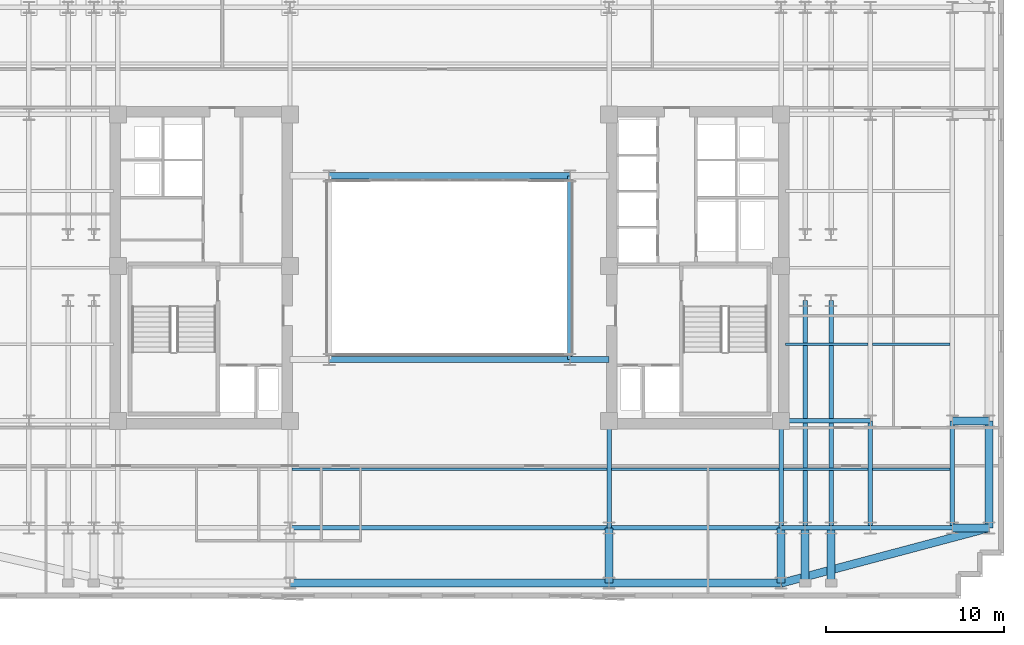
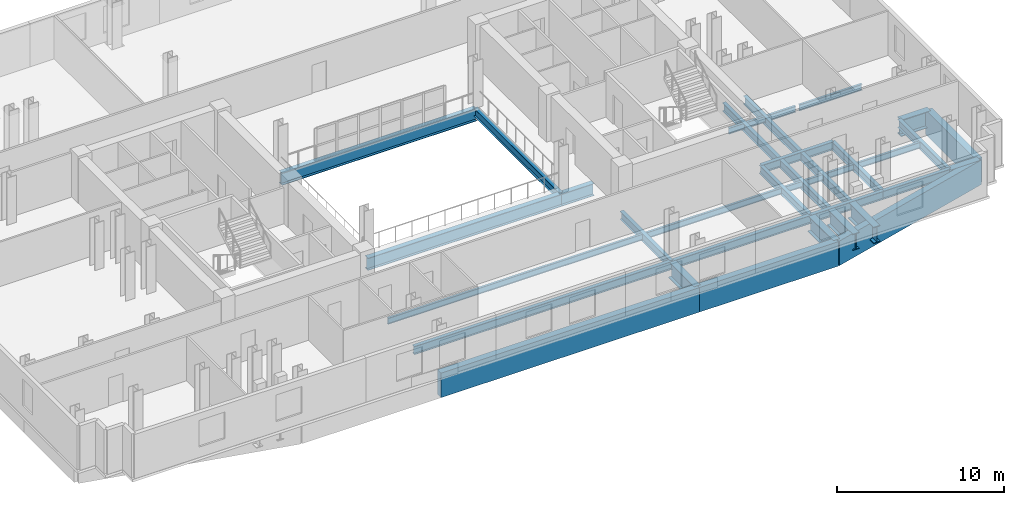
# One storey, part 3 of 12: 31 beams.
"""IFC4 building model written with IfcOpenShell, lengths in metres."""

from ifc_helpers import new_model, si_unit, direction, frame, origin, origin_2d, place, context, subcontext, project, spatial, rectangle, i_section, extrude, material, material_profile, profile_set, type_object, element, save


model = new_model("IFC4")

# Units and contexts
model_context = context("Model", 3, precision=1e-05, world=origin(), true_north=direction((0.0, 1.0)))
body_context = subcontext(model_context, "Body", "Model", "MODEL_VIEW")
ifc_project = project(units=[si_unit("LENGTHUNIT", "METRE"), si_unit("AREAUNIT", "SQUARE_METRE"), si_unit("VOLUMEUNIT", "CUBIC_METRE"), si_unit("PLANEANGLEUNIT", "RADIAN"), si_unit("MASSUNIT", "GRAM", prefix="KILO")], contexts=[model_context])

# Site, building, storey
site_placement = place(None, origin())
site = spatial("IfcSite", under=ifc_project, at=site_placement, CompositionType="ELEMENT")
building_placement = place(site_placement, origin())
building = spatial("IfcBuilding", under=site, at=building_placement, Name="Velakula Bourse", CompositionType="ELEMENT")
storey_placement = place(building_placement, frame((0.0, 0.0, 120.85009765625)))
storey = spatial("IfcBuildingStorey", under=building, at=storey_placement, Name="L32", CompositionType="ELEMENT", Elevation=120.85009765625)

# Beams
ifc_material_1 = material(Name="Steel IS 2062 Grade 350 (E350)", Category="steel")
ifc_material_profile_1 = material_profile(ifc_material_1, i_section(OverallWidth=0.25, OverallDepth=0.60009765625, WebThickness=0.01123046875, FlangeThickness=0.021240234375, at=origin_2d()), Name="Steel IS 2062 Grade 350 (E350)")
ifc_profile_set_1 = profile_set([ifc_material_profile_1], Name="Steel IS 2062 Grade 350 (E350)")
beam_type_1 = type_object("IfcBeamType", Name="BM-GRD-600M", PredefinedType="BEAM", material=ifc_profile_set_1)
beam_1_placement = place(storey_placement, frame((6.75, -5.14990234375, -0.47998046875), z_axis=(0.0, 1.0, 0.0), x_axis=(-1.0, 0.0, 0.0)))
element("IfcBeam", 1, at=beam_1_placement, inside=storey, type_object=beam_type_1, Name="L32 Primary Backbone Girder SPN-E", PredefinedType="BEAM", context=body_context, shape_type="SweptSolid", body=[
    extrude(i_section(OverallWidth=0.25, OverallDepth=0.60009765625, WebThickness=0.01123046875, FlangeThickness=0.021240234375, at=origin_2d()), origin(), (0.0, 0.0, 1.0), 10.2998046875),
])
for number, where, z_axis, x_axis, name in (
    (2, (8.949951171875, -14.60009765625, -0.47998046875), (0.0, 1.0, 0.0), (-1.0, 0.0, 0.0), "L32 Fulcrum Grid Girder FLC-ECS"),
    (3, (18.60009765625, -14.60009765625, -0.47998046875), (0.0, 1.0, 0.0), (-1.0, 0.0, 0.0), "L32 Fulcrum Grid Girder FLC-ES"),
):
    element("IfcBeam", number, at=place(storey_placement, frame(where, z_axis=z_axis, x_axis=x_axis)), inside=storey, type_object=beam_type_1, Name=name, PredefinedType="BEAM", context=body_context, shape_type="SweptSolid", body=[
        extrude(i_section(OverallWidth=0.25, OverallDepth=0.60009765625, WebThickness=0.01123046875, FlangeThickness=0.021240234375, at=origin_2d()), origin(), (0.0, 0.0, 1.0), 6.0),
    ])
beam_2_placement = place(storey_placement, frame((-8.949951171875, -14.60009765625, -0.47998046875), z_axis=(1.0, 0.0, 0.0), x_axis=(0.0, 1.0, 0.0)))
element("IfcBeam", 4, at=beam_2_placement, inside=storey, type_object=beam_type_1, Name="L32 Fulcrum Grid Girder FLC-S2", PredefinedType="BEAM", context=body_context, shape_type="SweptSolid", body=[
    extrude(i_section(OverallWidth=0.25, OverallDepth=0.60009765625, WebThickness=0.01123046875, FlangeThickness=0.021240234375, at=origin_2d()), origin(), (0.0, 0.0, 1.0), 17.89990234375),
])
beam_3_placement = place(storey_placement, frame((8.949951171875, -14.60009765625, -0.47998046875), z_axis=(1.0, 0.0, 0.0), x_axis=(0.0, 1.0, 0.0)))
element("IfcBeam", 5, at=beam_3_placement, inside=storey, type_object=beam_type_1, Name="L32 Fulcrum Grid Girder FLC-S3", PredefinedType="BEAM", context=body_context, shape_type="SweptSolid", body=[
    extrude(i_section(OverallWidth=0.25, OverallDepth=0.60009765625, WebThickness=0.01123046875, FlangeThickness=0.021240234375, at=origin_2d()), origin(), (0.0, 0.0, 1.0), 9.650146484375),
])
for number, where, z_axis, x_axis, name in (
    (6, (19.949951171875, -14.60009765625, -0.47998046875), (0.0, 1.0, 0.0), (-1.0, 0.0, 0.0), "L32 Fulcrum Grid Girder FLC-PSE1"),
    (7, (21.39990234375, -14.60009765625, -0.47998046875), (0.0, 1.0, 0.0), (-1.0, 0.0, 0.0), "L32 Fulcrum Grid Girder FLC-PSE2"),
):
    element("IfcBeam", number, at=place(storey_placement, frame(where, z_axis=z_axis, x_axis=x_axis)), inside=storey, type_object=beam_type_1, Name=name, PredefinedType="BEAM", context=body_context, shape_type="SweptSolid", body=[
        extrude(i_section(OverallWidth=0.25, OverallDepth=0.60009765625, WebThickness=0.01123046875, FlangeThickness=0.021240234375, at=origin_2d()), origin(), (0.0, 0.0, 1.0), 12.75),
    ])
for number, where, z_axis, x_axis, name in (
    (8, (18.60009765625, -14.60009765625, -0.47998046875), (1.0, 0.0, 0.0), (0.0, 1.0, 0.0), "L32 Fulcrum Grid Girder MWG-ES1"),
    (9, (18.60009765625, -8.60009765625, -0.47998046875), (1.0, 0.0, 0.0), (0.0, 1.0, 0.0), "L32 Fulcrum Grid Girder MWG-ES2"),
):
    element("IfcBeam", number, at=place(storey_placement, frame(where, z_axis=z_axis, x_axis=x_axis)), inside=storey, type_object=beam_type_1, Name=name, PredefinedType="BEAM", context=body_context, shape_type="SweptSolid", body=[
        extrude(i_section(OverallWidth=0.25, OverallDepth=0.60009765625, WebThickness=0.01123046875, FlangeThickness=0.021240234375, at=origin_2d()), origin(), (0.0, 0.0, 1.0), 5.0),
    ])
beam_4_placement = place(storey_placement, frame((23.60009765625, -14.60009765625, -0.47998046875), z_axis=(0.0, 1.0, 0.0), x_axis=(-1.0, 0.0, 0.0)))
element("IfcBeam", 10, at=beam_4_placement, inside=storey, type_object=beam_type_1, Name="L32 Fulcrum Grid Girder MWG-ENS1", PredefinedType="BEAM", context=body_context, shape_type="SweptSolid", body=[
    extrude(i_section(OverallWidth=0.25, OverallDepth=0.60009765625, WebThickness=0.01123046875, FlangeThickness=0.021240234375, at=origin_2d()), origin(), (0.0, 0.0, 1.0), 6.0),
])
beam_5_placement = place(storey_placement, frame((23.60009765625, -14.60009765625, -0.47998046875), z_axis=(1.0, 0.0, 0.0), x_axis=(0.0, 1.0, 0.0)))
element("IfcBeam", 11, at=beam_5_placement, inside=storey, type_object=beam_type_1, Name="L32 Fulcrum Grid Girder WNG-ES1", PredefinedType="BEAM", context=body_context, shape_type="SweptSolid", body=[
    extrude(i_section(OverallWidth=0.25, OverallDepth=0.60009765625, WebThickness=0.01123046875, FlangeThickness=0.021240234375, at=origin_2d()), origin(), (0.0, 0.0, 1.0), 4.599853515625),
])
beam_6_placement = place(storey_placement, frame((28.199951171875, -14.60009765625, -0.47998046875), z_axis=(0.0, 1.0, 0.0), x_axis=(-1.0, 0.0, 0.0)))
element("IfcBeam", 12, at=beam_6_placement, inside=storey, type_object=beam_type_1, Name="L32 Fulcrum Grid Girder WNG-ENS1", PredefinedType="BEAM", context=body_context, shape_type="SweptSolid", body=[
    extrude(i_section(OverallWidth=0.25, OverallDepth=0.60009765625, WebThickness=0.01123046875, FlangeThickness=0.021240234375, at=origin_2d()), origin(), (0.0, 0.0, 1.0), 6.0),
])
ifc_material_profile_2 = material_profile(ifc_material_1, i_section(OverallWidth=0.35009765625, OverallDepth=0.89990234375, WebThickness=0.02001953125, FlangeThickness=0.031982421875, at=origin_2d()), Name="Steel IS 2062 Grade 350 (E350)")
ifc_profile_set_2 = profile_set([ifc_material_profile_2], Name="Steel IS 2062 Grade 350 (E350)")
beam_type_2 = type_object("IfcBeamType", Name="BM-LNK-900", PredefinedType="BEAM", material=ifc_profile_set_2)
beam_7_placement = place(storey_placement, frame((-6.75, -5.14990234375, -0.630126953125), z_axis=(1.0, 0.0, 0.0), x_axis=(0.0, 1.0, 0.0)))
element("IfcBeam", 13, at=beam_7_placement, inside=storey, type_object=beam_type_2, Name="L32 Primary Backbone Girder LNK-S2", PredefinedType="BEAM", context=body_context, shape_type="SweptSolid", body=[
    extrude(i_section(OverallWidth=0.35009765625, OverallDepth=0.89990234375, WebThickness=0.02001953125, FlangeThickness=0.031982421875, at=origin_2d()), origin(), (0.0, 0.0, 1.0), 13.5),
])
beam_8_placement = place(storey_placement, frame((6.75, -5.14990234375, -0.630126953125), z_axis=(1.0, 0.0, 0.0), x_axis=(0.0, 1.0, 0.0)))
element("IfcBeam", 14, at=beam_8_placement, inside=storey, type_object=beam_type_2, Name="L32 Primary Backbone Girder LNK-S3", PredefinedType="BEAM", context=body_context, shape_type="SweptSolid", body=[
    extrude(i_section(OverallWidth=0.35009765625, OverallDepth=0.89990234375, WebThickness=0.02001953125, FlangeThickness=0.031982421875, at=origin_2d()), origin(), (0.0, 0.0, 1.0), 2.199951171875),
])
beam_9_placement = place(storey_placement, frame((-6.75, 5.14990234375, -0.630126953125), z_axis=(1.0, 0.0, 0.0), x_axis=(0.0, 1.0, 0.0)))
element("IfcBeam", 15, at=beam_9_placement, inside=storey, type_object=beam_type_2, Name="L32 Primary Backbone Girder LNK-N2", PredefinedType="BEAM", context=body_context, shape_type="SweptSolid", body=[
    extrude(i_section(OverallWidth=0.35009765625, OverallDepth=0.89990234375, WebThickness=0.02001953125, FlangeThickness=0.031982421875, at=origin_2d()), origin(), (0.0, 0.0, 1.0), 13.5),
])
ifc_material_profile_3 = material_profile(ifc_material_1, i_section(OverallWidth=0.14990234375, OverallDepth=0.449951171875, WebThickness=0.009521484375, FlangeThickness=0.017333984375, at=origin_2d()), Name="Steel IS 2062 Grade 350 (E350)")
ifc_profile_set_3 = profile_set([ifc_material_profile_3], Name="Steel IS 2062 Grade 350 (E350)")
beam_type_3 = type_object("IfcBeamType", Name="JST-TWR-450", PredefinedType="JOIST", material=ifc_profile_set_3)
beam_10_placement = place(storey_placement, frame((-8.824951171875, -11.300048828125, -0.405029296875), z_axis=(1.0, 0.0, 0.0), x_axis=(0.0, 1.0, 0.0)))
element("IfcBeam", 16, at=beam_10_placement, inside=storey, type_object=beam_type_3, Name="L32 Trading Floor Composite Joist 05", PredefinedType="JOIST", context=body_context, shape_type="SweptSolid", body=[
    extrude(i_section(OverallWidth=0.14990234375, OverallDepth=0.449951171875, WebThickness=0.009521484375, FlangeThickness=0.017333984375, at=origin_2d()), origin(), (0.0, 0.0, 1.0), 17.64990234375),
])
beam_11_placement = place(storey_placement, frame((9.074951171875, -11.300048828125, -0.405029296875), z_axis=(1.0, 0.0, 0.0), x_axis=(0.0, 1.0, 0.0)))
element("IfcBeam", 17, at=beam_11_placement, inside=storey, type_object=beam_type_3, Name="L32 Trading Floor Composite Joist 06", PredefinedType="JOIST", context=body_context, shape_type="SweptSolid", body=[
    extrude(i_section(OverallWidth=0.14990234375, OverallDepth=0.449951171875, WebThickness=0.009521484375, FlangeThickness=0.017333984375, at=origin_2d()), origin(), (0.0, 0.0, 1.0), 9.400146484375),
])
beam_12_placement = place(storey_placement, frame((18.72509765625, -11.300048828125, -0.405029296875), z_axis=(1.0, 0.0, 0.0), x_axis=(0.0, 1.0, 0.0)))
element("IfcBeam", 18, at=beam_12_placement, inside=storey, type_object=beam_type_3, Name="L32 Trading Floor Composite Joist 07", PredefinedType="JOIST", context=body_context, shape_type="SweptSolid", body=[
    extrude(i_section(OverallWidth=0.14990234375, OverallDepth=0.449951171875, WebThickness=0.009521484375, FlangeThickness=0.017333984375, at=origin_2d()), origin(), (0.0, 0.0, 1.0), 4.75),
])
beam_13_placement = place(storey_placement, frame((23.72509765625, -11.300048828125, -0.405029296875), z_axis=(1.0, 0.0, 0.0), x_axis=(0.0, 1.0, 0.0)))
element("IfcBeam", 19, at=beam_13_placement, inside=storey, type_object=beam_type_3, Name="L32 Trading Floor Composite Joist 08", PredefinedType="JOIST", context=body_context, shape_type="SweptSolid", body=[
    extrude(i_section(OverallWidth=0.14990234375, OverallDepth=0.449951171875, WebThickness=0.009521484375, FlangeThickness=0.017333984375, at=origin_2d()), origin(), (0.0, 0.0, 1.0), 4.349853515625),
])
beam_14_placement = place(storey_placement, frame((18.85009765625, -4.300048828125, -0.405029296875), z_axis=(1.0, 0.0, 0.0), x_axis=(0.0, 1.0, 0.0)))
element("IfcBeam", 20, at=beam_14_placement, inside=storey, type_object=beam_type_3, Name="L32 Trading Floor Composite Joist 28", PredefinedType="JOIST", context=body_context, shape_type="SweptSolid", body=[
    extrude(i_section(OverallWidth=0.14990234375, OverallDepth=0.449951171875, WebThickness=0.009521484375, FlangeThickness=0.017333984375, at=origin_2d()), origin(), (0.0, 0.0, 1.0), 4.625),
])
beam_15_placement = place(storey_placement, frame((23.72509765625, -4.300048828125, -0.405029296875), z_axis=(1.0, 0.0, 0.0), x_axis=(0.0, 1.0, 0.0)))
element("IfcBeam", 21, at=beam_15_placement, inside=storey, type_object=beam_type_3, Name="L32 Trading Floor Composite Joist 29", PredefinedType="JOIST", context=body_context, shape_type="SweptSolid", body=[
    extrude(i_section(OverallWidth=0.14990234375, OverallDepth=0.449951171875, WebThickness=0.009521484375, FlangeThickness=0.017333984375, at=origin_2d()), origin(), (0.0, 0.0, 1.0), 4.349853515625),
])
ifc_material_2 = material(Name="Concrete M50 (fck 50 MPa)", Category="concrete")
ifc_material_profile_4 = material_profile(ifc_material_2, rectangle(XDim=0.449951171875, YDim=1.800048828125, at=origin_2d()), Name="Concrete M50 (fck 50 MPa)")
ifc_profile_set_4 = profile_set([ifc_material_profile_4], Name="Concrete M50 (fck 50 MPa)")
beam_type_4 = type_object("IfcBeamType", Name="SPN-TRF-1800", PredefinedType="SPANDREL", material=ifc_profile_set_4)
beam_16_placement = place(storey_placement, frame((-8.949951171875, -17.699951171875, -1.080078125), z_axis=(1.0, 0.0, 0.0), x_axis=(0.0, 1.0, 0.0)))
element("IfcBeam", 22, at=beam_16_placement, inside=storey, type_object=beam_type_4, Name="L32 Brick-Faced Precast Spandrel S2-S3", PredefinedType="SPANDREL", context=body_context, shape_type="SweptSolid", body=[
    extrude(rectangle(XDim=0.449951171875, YDim=1.800048828125, at=origin_2d()), origin(), (0.0, 0.0, 1.0), 17.89990234375),
])
beam_17_placement = place(storey_placement, frame((8.949951171875, -17.699951171875, -1.080078125), z_axis=(1.0, 0.0, 0.0), x_axis=(0.0, 1.0, 0.0)))
element("IfcBeam", 23, at=beam_17_placement, inside=storey, type_object=beam_type_4, Name="L32 Brick-Faced Precast Spandrel S3-S4", PredefinedType="SPANDREL", context=body_context, shape_type="SweptSolid", body=[
    extrude(rectangle(XDim=0.449951171875, YDim=1.800048828125, at=origin_2d()), origin(), (0.0, 0.0, 1.0), 9.650146484375),
])
beam_18_placement = place(storey_placement, frame((30.25, -14.60009765625, -1.080078125), z_axis=(0.0, 1.0, 0.0), x_axis=(-1.0, 0.0, 0.0)))
element("IfcBeam", 24, at=beam_18_placement, inside=storey, type_object=beam_type_4, Name="L32 Brick-Faced Precast Spandrel E1-E2", PredefinedType="SPANDREL", context=body_context, shape_type="SweptSolid", body=[
    extrude(rectangle(XDim=0.449951171875, YDim=1.800048828125, at=origin_2d()), origin(), (0.0, 0.0, 1.0), 6.0),
])
beam_19_placement = place(storey_placement, frame((18.60009765625, -17.699951171875, -1.080078125), z_axis=(0.966374962557, 0.257136990226, 0.0), x_axis=(-0.257136990226, 0.966374962557, 0.0)))
element("IfcBeam", 25, at=beam_19_placement, inside=storey, type_object=beam_type_4, Name="L32 Brick-Faced Precast Spandrel S4-E1", PredefinedType="SPANDREL", context=body_context, shape_type="SweptSolid", body=[
    extrude(rectangle(XDim=0.449951171875, YDim=1.800048828125, at=origin_2d()), origin(), (0.0, 0.0, 1.0), 12.05517578125),
])
ifc_material_3 = material(Name="Steel IS 2062 Grade 450 (E450)", Category="steel")
ifc_material_profile_5 = material_profile(ifc_material_3, i_section(OverallWidth=0.449951171875, OverallDepth=1.199951171875, WebThickness=0.02587890625, FlangeThickness=0.0400390625, at=origin_2d()), Name="Steel IS 2062 Grade 450 (E450)")
ifc_profile_set_5 = profile_set([ifc_material_profile_5], Name="Steel IS 2062 Grade 450 (E450)")
beam_type_5 = type_object("IfcBeamType", Name="TB-CANT-1200", PredefinedType="BEAM", material=ifc_profile_set_5)
for number, where, z_axis, x_axis, name in (
    (26, (8.949951171875, -14.60009765625, -0.780029296875), (0.0, -1.0, 0.0), (1.0, 0.0, 0.0), "L32 Perimeter Tie Girder S3"),
    (27, (18.60009765625, -14.60009765625, -0.780029296875), (0.0, -1.0, 0.0), (1.0, 0.0, 0.0), "L32 Perimeter Tie Girder S4"),
):
    element("IfcBeam", number, at=place(storey_placement, frame(where, z_axis=z_axis, x_axis=x_axis)), inside=storey, type_object=beam_type_5, Name=name, PredefinedType="BEAM", context=body_context, shape_type="SweptSolid", body=[
        extrude(i_section(OverallWidth=0.449951171875, OverallDepth=1.199951171875, WebThickness=0.02587890625, FlangeThickness=0.0400390625, at=origin_2d()), origin(), (0.0, 0.0, 1.0), 3.099853515625),
    ])
for number, where, z_axis, x_axis, name in (
    (28, (28.199951171875, -14.60009765625, -0.780029296875), (1.0, 0.0, 0.0), (0.0, 1.0, 0.0), "L32 Perimeter Tie Girder E1"),
    (29, (28.199951171875, -8.60009765625, -0.780029296875), (1.0, 0.0, 0.0), (0.0, 1.0, 0.0), "L32 Perimeter Tie Girder E2"),
):
    element("IfcBeam", number, at=place(storey_placement, frame(where, z_axis=z_axis, x_axis=x_axis)), inside=storey, type_object=beam_type_5, Name=name, PredefinedType="BEAM", context=body_context, shape_type="SweptSolid", body=[
        extrude(i_section(OverallWidth=0.449951171875, OverallDepth=1.199951171875, WebThickness=0.02587890625, FlangeThickness=0.0400390625, at=origin_2d()), origin(), (0.0, 0.0, 1.0), 2.050048828125),
    ])
for number, where, z_axis, x_axis, name in (
    (30, (19.949951171875, -14.60009765625, -0.780029296875), (0.0, -1.0, 0.0), (1.0, 0.0, 0.0), "L32 Perimeter Tie Girder P03"),
    (31, (21.39990234375, -14.60009765625, -0.780029296875), (0.0, -1.0, 0.0), (1.0, 0.0, 0.0), "L32 Perimeter Tie Girder P04"),
):
    element("IfcBeam", number, at=place(storey_placement, frame(where, z_axis=z_axis, x_axis=x_axis)), inside=storey, type_object=beam_type_5, Name=name, PredefinedType="BEAM", context=body_context, shape_type="SweptSolid", body=[
        extrude(i_section(OverallWidth=0.449951171875, OverallDepth=1.199951171875, WebThickness=0.02587890625, FlangeThickness=0.0400390625, at=origin_2d()), origin(), (0.0, 0.0, 1.0), 3.099853515625),
    ])

save(model, "model.ifc")
